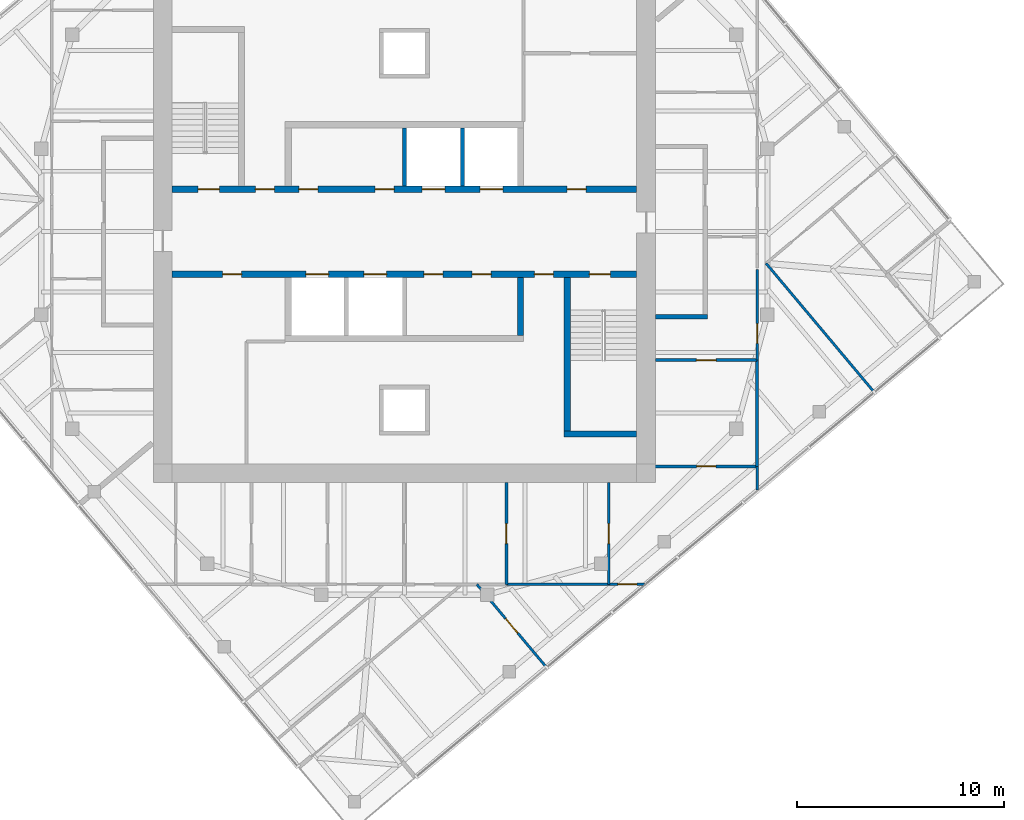
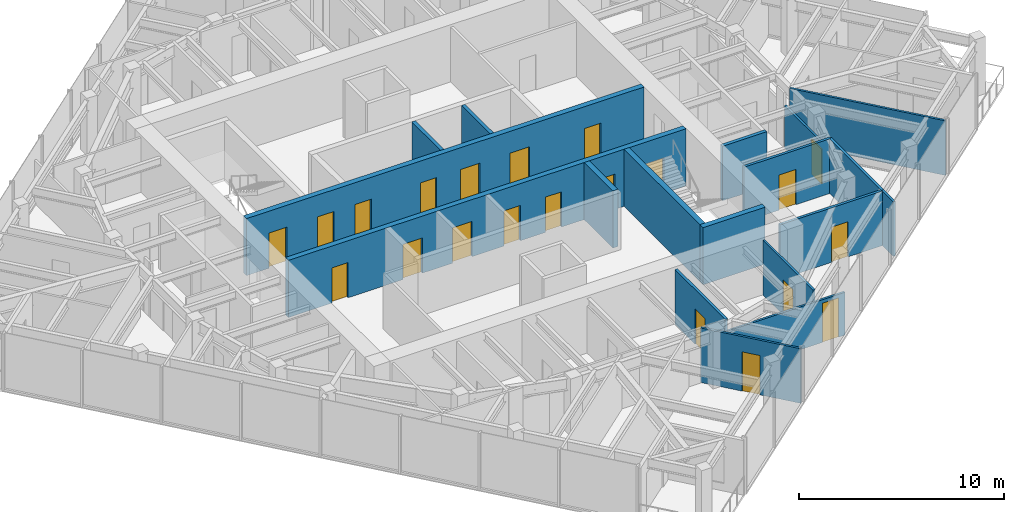
# One storey, part 8 of 11: 21 doors, 18 walls, 21 openings.
"""IFC4 building model written with IfcOpenShell, lengths in metres."""

from ifc_helpers import new_model, si_unit, direction, frame, frame_2d, origin, place, context, subcontext, project, spatial, rectangle, extrude, material, layer, layer_set, type_object, element, fill, save


model = new_model("IFC4")

# Units and contexts
model_context = context("Model", 3, precision=1e-05, world=origin(), true_north=direction((0.0, 1.0)))
body_context = subcontext(model_context, "Body", "Model", "MODEL_VIEW")
ifc_project = project(units=[si_unit("LENGTHUNIT", "METRE"), si_unit("AREAUNIT", "SQUARE_METRE"), si_unit("VOLUMEUNIT", "CUBIC_METRE"), si_unit("PLANEANGLEUNIT", "RADIAN"), si_unit("MASSUNIT", "GRAM", prefix="KILO")], contexts=[model_context])

# Site, building, storey
site_placement = place(None, origin())
site = spatial("IfcSite", under=ifc_project, at=site_placement, CompositionType="ELEMENT")
building_placement = place(site_placement, origin())
building = spatial("IfcBuilding", under=site, at=building_placement, Name="Torsade Residences", CompositionType="ELEMENT")
storey_placement = place(building_placement, frame((0.0, 0.0, 276.0)))
storey = spatial("IfcBuildingStorey", under=building, at=storey_placement, Name="L76", CompositionType="ELEMENT", Elevation=276.0)

# Wall, openings, doors
ifc_material_1 = material(Name="Concrete 80 MPa", Category="concrete")
ifc_layer_1 = layer(ifc_material_1, 0.300048828125)
ifc_layer_set_1 = layer_set([ifc_layer_1], Name="Concrete 80 MPa")
wall_type_1 = type_object("IfcWallType", Name="CORE INTERNAL WALL 300", PredefinedType="SHEAR", material=ifc_layer_set_1)
wall_1_placement = place(storey_placement, frame((28.800048828125, 32.050048828125, 0.0), z_axis=(0.0, 0.0, 1.0), x_axis=(1.0, 0.0, 0.0)))
wall_1 = element("IfcWall", 1, at=wall_1_placement, inside=storey, type_object=wall_type_1, Name="Core wall LN L76", PredefinedType="SHEAR", context=body_context, shape_type="SweptSolid", body=[
    extrude(rectangle(XDim=22.39990234375, YDim=0.300048828125, at=frame_2d((11.199951171875, 0.0))), origin(), (0.0, 0.0, 1.0), 3.39990234375),
])
opening_1_placement = place(wall_1_placement, frame((19.0400390625, 0.0, 0.0)))
opening_1 = element("IfcOpeningElement", 2, at=opening_1_placement, cuts=wall_1, Name="Opening D06", PredefinedType="OPENING", context=body_context, shape_type="SweptSolid", body=[
    extrude(rectangle(XDim=0.919921875, YDim=2.10009765625, at=frame_2d((0.4599609375, 1.050048828125))), frame((0.0, 0.159912109375, 0.0), z_axis=(0.0, -1.0, 0.0), x_axis=(1.0, 0.0, 0.0)), (0.0, 0.0, 1.0), 0.320068359375),
])
opening_2_placement = place(wall_1_placement, frame((1.264892578125, 0.0, 0.0)))
opening_2 = element("IfcOpeningElement", 3, at=opening_2_placement, cuts=wall_1, Name="Opening D03", PredefinedType="OPENING", context=body_context, shape_type="SweptSolid", body=[
    extrude(rectangle(XDim=1.02001953125, YDim=2.10009765625, at=frame_2d((0.510009765625, 1.050048828125))), frame((0.0, 0.159912109375, 0.0), z_axis=(0.0, -1.0, 0.0), x_axis=(1.0, 0.0, 0.0)), (0.0, 0.0, 1.0), 0.320068359375),
])
opening_3_placement = place(wall_1_placement, frame((4.014892578125, 0.0, 0.0)))
opening_3 = element("IfcOpeningElement", 4, at=opening_3_placement, cuts=wall_1, Name="Opening D06", PredefinedType="OPENING", context=body_context, shape_type="SweptSolid", body=[
    extrude(rectangle(XDim=0.919921875, YDim=2.10009765625, at=frame_2d((0.4599609375, 1.050048828125))), frame((0.0, 0.159912109375, 0.0), z_axis=(0.0, -1.0, 0.0), x_axis=(1.0, 0.0, 0.0)), (0.0, 0.0, 1.0), 0.320068359375),
])
opening_4_placement = place(wall_1_placement, frame((6.114990234375, 0.0, 0.0)))
opening_4 = element("IfcOpeningElement", 5, at=opening_4_placement, cuts=wall_1, Name="Opening D06", PredefinedType="OPENING", context=body_context, shape_type="SweptSolid", body=[
    extrude(rectangle(XDim=0.919921875, YDim=2.10009765625, at=frame_2d((0.4599609375, 1.050048828125))), frame((0.0, 0.159912109375, 0.0), z_axis=(0.0, -1.0, 0.0), x_axis=(1.0, 0.0, 0.0)), (0.0, 0.0, 1.0), 0.320068359375),
])
opening_5_placement = place(wall_1_placement, frame((9.7900390625, 0.0, 0.0)))
opening_5 = element("IfcOpeningElement", 6, at=opening_5_placement, cuts=wall_1, Name="Opening D06", PredefinedType="OPENING", context=body_context, shape_type="SweptSolid", body=[
    extrude(rectangle(XDim=0.919921875, YDim=2.10009765625, at=frame_2d((0.4599609375, 1.050048828125))), frame((0.0, 0.159912109375, 0.0), z_axis=(0.0, -1.0, 0.0), x_axis=(1.0, 0.0, 0.0)), (0.0, 0.0, 1.0), 0.320068359375),
])
opening_6_placement = place(wall_1_placement, frame((12.050048828125, 0.0, 0.0)))
opening_6 = element("IfcOpeningElement", 7, at=opening_6_placement, cuts=wall_1, Name="Opening LD", PredefinedType="OPENING", context=body_context, shape_type="SweptSolid", body=[
    extrude(rectangle(XDim=1.10009765625, YDim=2.10009765625, at=frame_2d((0.550048828125, 1.050048828125))), frame((0.0, 0.159912109375, 0.0), z_axis=(0.0, -1.0, 0.0), x_axis=(1.0, 0.0, 0.0)), (0.0, 0.0, 1.0), 0.320068359375),
])
opening_7_placement = place(wall_1_placement, frame((14.85009765625, 0.0, 0.0)))
opening_7 = element("IfcOpeningElement", 8, at=opening_7_placement, cuts=wall_1, Name="Opening LD", PredefinedType="OPENING", context=body_context, shape_type="SweptSolid", body=[
    extrude(rectangle(XDim=1.10009765625, YDim=2.10009765625, at=frame_2d((0.550048828125, 1.050048828125))), frame((0.0, 0.159912109375, 0.0), z_axis=(0.0, -1.0, 0.0), x_axis=(1.0, 0.0, 0.0)), (0.0, 0.0, 1.0), 0.320068359375),
])
ifc_material_2 = material(Name="Steel-framed fire door", Category="steel")
door_type_1 = type_object("IfcDoorType", Name="FIRE DOOR 1020", OperationType="NOTDEFINED", PredefinedType="DOOR", material=ifc_material_2)
door_1_placement = place(opening_2_placement, origin())
door_1 = element("IfcDoor", 9, at=door_1_placement, inside=storey, type_object=door_type_1, Name="Exit door to fire-isolated stair ST1 L76", OperationType="SINGLE_SWING_RIGHT", OverallHeight=2.10009765625, OverallWidth=1.02001953125, PredefinedType="DOOR", context=body_context, shape_type="SweptSolid", body=[
    extrude(rectangle(XDim=1.02001953125, YDim=2.10009765625, at=frame_2d((0.510009765625, 1.050048828125))), frame((0.0, 0.02490234375, 0.0), z_axis=(0.0, -1.0, 0.0), x_axis=(1.0, 0.0, 0.0)), (0.0, 0.0, 1.0), 0.050048828125),
])
fill(opening_2, door_1)
ifc_material_3 = material(Name="Steel-framed fire door", Category="steel")
door_type_2 = type_object("IfcDoorType", Name="FIRE DOOR 920", OperationType="NOTDEFINED", PredefinedType="DOOR", material=ifc_material_3)
door_2_placement = place(opening_1_placement, origin())
door_2 = element("IfcDoor", 10, at=door_2_placement, inside=storey, type_object=door_type_2, Name="Door Lift lobby to Refuse room", OperationType="SINGLE_SWING_LEFT", OverallHeight=2.10009765625, OverallWidth=0.919921875, PredefinedType="DOOR", context=body_context, shape_type="SweptSolid", body=[
    extrude(rectangle(XDim=0.919921875, YDim=2.10009765625, at=frame_2d((0.4599609375, 1.050048828125))), frame((0.0, 0.02490234375, 0.0), z_axis=(0.0, -1.0, 0.0), x_axis=(1.0, 0.0, 0.0)), (0.0, 0.0, 1.0), 0.050048828125),
])
fill(opening_1, door_2)
door_3_placement = place(opening_3_placement, origin())
door_3 = element("IfcDoor", 11, at=door_3_placement, inside=storey, type_object=door_type_2, Name="Door Lift lobby to Electrical riser room", OperationType="SINGLE_SWING_LEFT", OverallHeight=2.10009765625, OverallWidth=0.919921875, PredefinedType="DOOR", context=body_context, shape_type="SweptSolid", body=[
    extrude(rectangle(XDim=0.919921875, YDim=2.10009765625, at=frame_2d((0.4599609375, 1.050048828125))), frame((0.0, 0.02490234375, 0.0), z_axis=(0.0, -1.0, 0.0), x_axis=(1.0, 0.0, 0.0)), (0.0, 0.0, 1.0), 0.050048828125),
])
fill(opening_3, door_3)
door_4_placement = place(opening_4_placement, origin())
door_4 = element("IfcDoor", 12, at=door_4_placement, inside=storey, type_object=door_type_2, Name="Door Lift lobby to Bulky waste store L76A", OperationType="SINGLE_SWING_LEFT", OverallHeight=2.10009765625, OverallWidth=0.919921875, PredefinedType="DOOR", context=body_context, shape_type="SweptSolid", body=[
    extrude(rectangle(XDim=0.919921875, YDim=2.10009765625, at=frame_2d((0.4599609375, 1.050048828125))), frame((0.0, 0.02490234375, 0.0), z_axis=(0.0, -1.0, 0.0), x_axis=(1.0, 0.0, 0.0)), (0.0, 0.0, 1.0), 0.050048828125),
])
fill(opening_4, door_4)
door_5_placement = place(opening_5_placement, origin())
door_5 = element("IfcDoor", 13, at=door_5_placement, inside=storey, type_object=door_type_2, Name="Door Lift lobby to Bulky waste store L76A", OperationType="SINGLE_SWING_RIGHT", OverallHeight=2.10009765625, OverallWidth=0.919921875, PredefinedType="DOOR", context=body_context, shape_type="SweptSolid", body=[
    extrude(rectangle(XDim=0.919921875, YDim=2.10009765625, at=frame_2d((0.4599609375, 1.050048828125))), frame((0.0, 0.02490234375, 0.0), z_axis=(0.0, -1.0, 0.0), x_axis=(1.0, 0.0, 0.0)), (0.0, 0.0, 1.0), 0.050048828125),
])
fill(opening_5, door_5)
ifc_material_4 = material(Name="Stainless steel lift landing door", Category="steel")
door_type_3 = type_object("IfcDoorType", Name="LIFT LANDING DOOR 1100", OperationType="SLIDING_TO_LEFT", PredefinedType="DOOR", material=ifc_material_4)
door_6_placement = place(opening_6_placement, origin())
door_6 = element("IfcDoor", 14, at=door_6_placement, inside=storey, type_object=door_type_3, Name="Lift LA3 landing door L76", OperationType="SLIDING_TO_LEFT", OverallHeight=2.10009765625, OverallWidth=1.10009765625, PredefinedType="DOOR", context=body_context, shape_type="SweptSolid", body=[
    extrude(rectangle(XDim=1.10009765625, YDim=2.10009765625, at=frame_2d((0.550048828125, 1.050048828125))), frame((0.0, 0.02490234375, 0.0), z_axis=(0.0, -1.0, 0.0), x_axis=(1.0, 0.0, 0.0)), (0.0, 0.0, 1.0), 0.050048828125),
])
fill(opening_6, door_6)
door_7_placement = place(opening_7_placement, origin())
door_7 = element("IfcDoor", 15, at=door_7_placement, inside=storey, type_object=door_type_3, Name="Lift FL1 landing door L76", OperationType="SLIDING_TO_LEFT", OverallHeight=2.10009765625, OverallWidth=1.10009765625, PredefinedType="DOOR", context=body_context, shape_type="SweptSolid", body=[
    extrude(rectangle(XDim=1.10009765625, YDim=2.10009765625, at=frame_2d((0.550048828125, 1.050048828125))), frame((0.0, 0.02490234375, 0.0), z_axis=(0.0, -1.0, 0.0), x_axis=(1.0, 0.0, 0.0)), (0.0, 0.0, 1.0), 0.050048828125),
])
fill(opening_7, door_7)

wall_2_placement = place(storey_placement, frame((51.199951171875, 27.949951171875, 0.0), z_axis=(0.0, 0.0, 1.0), x_axis=(-1.0, 0.0, 0.0)))
wall_2 = element("IfcWall", 16, at=wall_2_placement, inside=storey, type_object=wall_type_1, Name="Core wall LS L76", PredefinedType="SHEAR", context=body_context, shape_type="SweptSolid", body=[
    extrude(rectangle(XDim=22.39990234375, YDim=0.300048828125, at=frame_2d((11.199951171875, 0.0))), origin(), (0.0, 0.0, 1.0), 3.39990234375),
])
opening_8_placement = place(wall_2_placement, frame((19.0400390625, 0.0, 0.0)))
opening_8 = element("IfcOpeningElement", 17, at=opening_8_placement, cuts=wall_2, Name="Opening D06", PredefinedType="OPENING", context=body_context, shape_type="SweptSolid", body=[
    extrude(rectangle(XDim=0.919921875, YDim=2.10009765625, at=frame_2d((0.4599609375, 1.050048828125))), frame((0.0, 0.159912109375, 0.0), z_axis=(0.0, -1.0, 0.0), x_axis=(1.0, 0.0, 0.0)), (0.0, 0.0, 1.0), 0.320068359375),
])
opening_9_placement = place(wall_2_placement, frame((1.264892578125, 0.0, 0.0)))
opening_9 = element("IfcOpeningElement", 18, at=opening_9_placement, cuts=wall_2, Name="Opening D03", PredefinedType="OPENING", context=body_context, shape_type="SweptSolid", body=[
    extrude(rectangle(XDim=1.02001953125, YDim=2.10009765625, at=frame_2d((0.510009765625, 1.050048828125))), frame((0.0, 0.159912109375, 0.0), z_axis=(0.0, -1.0, 0.0), x_axis=(1.0, 0.0, 0.0)), (0.0, 0.0, 1.0), 0.320068359375),
])
opening_10_placement = place(wall_2_placement, frame((4.014892578125, 0.0, 0.0)))
opening_10 = element("IfcOpeningElement", 19, at=opening_10_placement, cuts=wall_2, Name="Opening D06", PredefinedType="OPENING", context=body_context, shape_type="SweptSolid", body=[
    extrude(rectangle(XDim=0.919921875, YDim=2.10009765625, at=frame_2d((0.4599609375, 1.050048828125))), frame((0.0, 0.159912109375, 0.0), z_axis=(0.0, -1.0, 0.0), x_axis=(1.0, 0.0, 0.0)), (0.0, 0.0, 1.0), 0.320068359375),
])
opening_11_placement = place(wall_2_placement, frame((9.340087890625, 0.0, 0.0)))
opening_11 = element("IfcOpeningElement", 20, at=opening_11_placement, cuts=wall_2, Name="Opening D06", PredefinedType="OPENING", context=body_context, shape_type="SweptSolid", body=[
    extrude(rectangle(XDim=0.919921875, YDim=2.10009765625, at=frame_2d((0.4599609375, 1.050048828125))), frame((0.0, 0.159912109375, 0.0), z_axis=(0.0, -1.0, 0.0), x_axis=(1.0, 0.0, 0.0)), (0.0, 0.0, 1.0), 0.320068359375),
])
opening_12_placement = place(wall_2_placement, frame((7.014892578125, 0.0, 0.0)))
opening_12 = element("IfcOpeningElement", 21, at=opening_12_placement, cuts=wall_2, Name="Opening D06", PredefinedType="OPENING", context=body_context, shape_type="SweptSolid", body=[
    extrude(rectangle(XDim=0.919921875, YDim=2.10009765625, at=frame_2d((0.4599609375, 1.050048828125))), frame((0.0, 0.159912109375, 0.0), z_axis=(0.0, -1.0, 0.0), x_axis=(1.0, 0.0, 0.0)), (0.0, 0.0, 1.0), 0.320068359375),
])
opening_13_placement = place(wall_2_placement, frame((12.050048828125, 0.0, 0.0)))
opening_13 = element("IfcOpeningElement", 22, at=opening_13_placement, cuts=wall_2, Name="Opening LD", PredefinedType="OPENING", context=body_context, shape_type="SweptSolid", body=[
    extrude(rectangle(XDim=1.10009765625, YDim=2.10009765625, at=frame_2d((0.550048828125, 1.050048828125))), frame((0.0, 0.159912109375, 0.0), z_axis=(0.0, -1.0, 0.0), x_axis=(1.0, 0.0, 0.0)), (0.0, 0.0, 1.0), 0.320068359375),
])
opening_14_placement = place(wall_2_placement, frame((14.85009765625, 0.0, 0.0)))
opening_14 = element("IfcOpeningElement", 23, at=opening_14_placement, cuts=wall_2, Name="Opening LD", PredefinedType="OPENING", context=body_context, shape_type="SweptSolid", body=[
    extrude(rectangle(XDim=1.10009765625, YDim=2.10009765625, at=frame_2d((0.550048828125, 1.050048828125))), frame((0.0, 0.159912109375, 0.0), z_axis=(0.0, -1.0, 0.0), x_axis=(1.0, 0.0, 0.0)), (0.0, 0.0, 1.0), 0.320068359375),
])
door_8_placement = place(opening_9_placement, origin())
door_8 = element("IfcDoor", 24, at=door_8_placement, inside=storey, type_object=door_type_1, Name="Exit door to fire-isolated stair ST2 L76", OperationType="SINGLE_SWING_RIGHT", OverallHeight=2.10009765625, OverallWidth=1.02001953125, PredefinedType="DOOR", context=body_context, shape_type="SweptSolid", body=[
    extrude(rectangle(XDim=1.02001953125, YDim=2.10009765625, at=frame_2d((0.510009765625, 1.050048828125))), frame((0.0, 0.02490234375, 0.0), z_axis=(0.0, -1.0, 0.0), x_axis=(1.0, 0.0, 0.0)), (0.0, 0.0, 1.0), 0.050048828125),
])
fill(opening_9, door_8)
door_9_placement = place(opening_8_placement, origin())
door_9 = element("IfcDoor", 25, at=door_9_placement, inside=storey, type_object=door_type_2, Name="Door Lift lobby to Cleaner store", OperationType="SINGLE_SWING_LEFT", OverallHeight=2.10009765625, OverallWidth=0.919921875, PredefinedType="DOOR", context=body_context, shape_type="SweptSolid", body=[
    extrude(rectangle(XDim=0.919921875, YDim=2.10009765625, at=frame_2d((0.4599609375, 1.050048828125))), frame((0.0, 0.02490234375, 0.0), z_axis=(0.0, -1.0, 0.0), x_axis=(1.0, 0.0, 0.0)), (0.0, 0.0, 1.0), 0.050048828125),
])
fill(opening_8, door_9)
door_10_placement = place(opening_10_placement, origin())
door_10 = element("IfcDoor", 26, at=door_10_placement, inside=storey, type_object=door_type_2, Name="Door Lift lobby to Communications riser room", OperationType="SINGLE_SWING_RIGHT", OverallHeight=2.10009765625, OverallWidth=0.919921875, PredefinedType="DOOR", context=body_context, shape_type="SweptSolid", body=[
    extrude(rectangle(XDim=0.919921875, YDim=2.10009765625, at=frame_2d((0.4599609375, 1.050048828125))), frame((0.0, 0.02490234375, 0.0), z_axis=(0.0, -1.0, 0.0), x_axis=(1.0, 0.0, 0.0)), (0.0, 0.0, 1.0), 0.050048828125),
])
fill(opening_10, door_10)
door_11_placement = place(opening_11_placement, origin())
door_11 = element("IfcDoor", 27, at=door_11_placement, inside=storey, type_object=door_type_2, Name="Door Lift lobby to Communications room L76B", OperationType="SINGLE_SWING_LEFT", OverallHeight=2.10009765625, OverallWidth=0.919921875, PredefinedType="DOOR", context=body_context, shape_type="SweptSolid", body=[
    extrude(rectangle(XDim=0.919921875, YDim=2.10009765625, at=frame_2d((0.4599609375, 1.050048828125))), frame((0.0, 0.02490234375, 0.0), z_axis=(0.0, -1.0, 0.0), x_axis=(1.0, 0.0, 0.0)), (0.0, 0.0, 1.0), 0.050048828125),
])
fill(opening_11, door_11)
door_12_placement = place(opening_12_placement, origin())
door_12 = element("IfcDoor", 28, at=door_12_placement, inside=storey, type_object=door_type_2, Name="Door Lift lobby to Communications room L76B", OperationType="SINGLE_SWING_RIGHT", OverallHeight=2.10009765625, OverallWidth=0.919921875, PredefinedType="DOOR", context=body_context, shape_type="SweptSolid", body=[
    extrude(rectangle(XDim=0.919921875, YDim=2.10009765625, at=frame_2d((0.4599609375, 1.050048828125))), frame((0.0, 0.02490234375, 0.0), z_axis=(0.0, -1.0, 0.0), x_axis=(1.0, 0.0, 0.0)), (0.0, 0.0, 1.0), 0.050048828125),
])
fill(opening_12, door_12)
door_13_placement = place(opening_13_placement, origin())
door_13 = element("IfcDoor", 29, at=door_13_placement, inside=storey, type_object=door_type_3, Name="Lift LB3 landing door L76", OperationType="SLIDING_TO_LEFT", OverallHeight=2.10009765625, OverallWidth=1.10009765625, PredefinedType="DOOR", context=body_context, shape_type="SweptSolid", body=[
    extrude(rectangle(XDim=1.10009765625, YDim=2.10009765625, at=frame_2d((0.550048828125, 1.050048828125))), frame((0.0, 0.02490234375, 0.0), z_axis=(0.0, -1.0, 0.0), x_axis=(1.0, 0.0, 0.0)), (0.0, 0.0, 1.0), 0.050048828125),
])
fill(opening_13, door_13)
door_14_placement = place(opening_14_placement, origin())
door_14 = element("IfcDoor", 30, at=door_14_placement, inside=storey, type_object=door_type_3, Name="Lift FL2 landing door L76", OperationType="SLIDING_TO_LEFT", OverallHeight=2.10009765625, OverallWidth=1.10009765625, PredefinedType="DOOR", context=body_context, shape_type="SweptSolid", body=[
    extrude(rectangle(XDim=1.10009765625, YDim=2.10009765625, at=frame_2d((0.550048828125, 1.050048828125))), frame((0.0, 0.02490234375, 0.0), z_axis=(0.0, -1.0, 0.0), x_axis=(1.0, 0.0, 0.0)), (0.0, 0.0, 1.0), 0.050048828125),
])
fill(opening_14, door_14)

# Walls
wall_3_placement = place(storey_placement, frame((45.60009765625, 27.800048828125, 0.0), z_axis=(0.0, 0.0, 1.0), x_axis=(0.0, -1.0, 0.0)))
element("IfcWall", 31, at=wall_3_placement, inside=storey, type_object=wall_type_1, Name="Core wall DS0 L76", PredefinedType="SHEAR", context=body_context, shape_type="SweptSolid", body=[
    extrude(rectangle(XDim=2.800048828125, YDim=0.300048828125, at=frame_2d((1.39990234375, 0.0))), origin(), (0.0, 0.0, 1.0), 3.39990234375),
])
wall_4_placement = place(storey_placement, frame((47.85009765625, 27.800048828125, 0.0), z_axis=(0.0, 0.0, 1.0), x_axis=(0.0, -1.0, 0.0)))
element("IfcWall", 32, at=wall_4_placement, inside=storey, type_object=wall_type_1, Name="Core wall ST2W L76", PredefinedType="SHEAR", context=body_context, shape_type="SweptSolid", body=[
    extrude(rectangle(XDim=7.699951171875, YDim=0.300048828125, at=frame_2d((3.85009765625, 0.0))), origin(), (0.0, 0.0, 1.0), 3.39990234375),
])
wall_5_placement = place(storey_placement, frame((51.199951171875, 20.25, 0.0), z_axis=(0.0, 0.0, 1.0), x_axis=(-1.0, 0.0, 0.0)))
element("IfcWall", 33, at=wall_5_placement, inside=storey, type_object=wall_type_1, Name="Core wall ST2S L76", PredefinedType="SHEAR", context=body_context, shape_type="SweptSolid", body=[
    extrude(rectangle(XDim=3.5, YDim=0.300048828125, at=frame_2d((1.75, 0.0))), origin(), (0.0, 0.0, 1.0), 3.39990234375),
])
ifc_material_5 = material(Name="Plasterboard on steel stud", Category="steel")
ifc_layer_2 = layer(ifc_material_5, 0.199951171875)
ifc_layer_set_2 = layer_set([ifc_layer_2], Name="Plasterboard on steel stud")
wall_type_2 = type_object("IfcWallType", Name="CORRIDOR WALL 200", PredefinedType="PARTITIONING", material=ifc_layer_set_2)
wall_6_placement = place(storey_placement, frame((52.10009765625, 25.89990234375, 0.0), z_axis=(0.0, 0.0, 1.0), x_axis=(1.0, 0.0, 0.0)))
element("IfcWall", 34, at=wall_6_placement, inside=storey, type_object=wall_type_2, Name="Corridor wall L76", PredefinedType="PARTITIONING", context=body_context, shape_type="SweptSolid", body=[
    extrude(rectangle(XDim=2.5, YDim=0.199951171875, at=frame_2d((1.25, 0.0))), origin(), (0.0, 0.0, 1.0), 3.25),
])
ifc_material_6 = material(Name="Reinforced blockwork", Category="masonry")
ifc_layer_3 = layer(ifc_material_6, 0.199951171875)
ifc_layer_set_3 = layer_set([ifc_layer_3], Name="Reinforced blockwork")
wall_type_3 = type_object("IfcWallType", Name="LIFT SHAFT DIVIDING WALL 200", PredefinedType="SOLIDWALL", material=ifc_layer_set_3)
for number, where, z_axis, x_axis, name in (
    (35, (40.0, 32.199951171875, 0.0), (0.0, 0.0, 1.0), (0.0, 1.0, 0.0), "Core wall DN2 L76"),
    (36, (42.800048828125, 32.199951171875, 0.0), (0.0, 0.0, 1.0), (0.0, 1.0, 0.0), "Core wall DN3 L76"),
):
    element("IfcWall", number, at=place(storey_placement, frame(where, z_axis=z_axis, x_axis=x_axis)), inside=storey, type_object=wall_type_3, Name=name, PredefinedType="SOLIDWALL", context=body_context, shape_type="SweptSolid", body=[
        extrude(rectangle(XDim=2.800048828125, YDim=0.199951171875, at=frame_2d((1.39990234375, 0.0))), origin(), (0.0, 0.0, 1.0), 3.39990234375),
    ])

# Wall, opening, door
ifc_material_7 = material(Name="Plasterboard on steel stud", Category="steel")
ifc_layer_4 = layer(ifc_material_7, 0.1201171875)
ifc_layer_set_4 = layer_set([ifc_layer_4], Name="Plasterboard on steel stud")
wall_type_4 = type_object("IfcWallType", Name="PARTITION 120", PredefinedType="PARTITIONING", material=ifc_layer_set_4)
wall_7_placement = place(storey_placement, frame((57.0, 28.175537109375, 0.0), z_axis=(0.0, 0.0, 1.0), x_axis=(0.0, -1.0, 0.0)))
wall_7 = element("IfcWall", 37, at=wall_7_placement, inside=storey, type_object=wall_type_4, Name="Partition L76", PredefinedType="PARTITIONING", context=body_context, shape_type="SweptSolid", body=[
    extrude(rectangle(XDim=4.365478515625, YDim=0.1201171875, at=frame_2d((2.1826171875, 0.0))), origin(), (0.0, 0.0, 1.0), 2.549072265625),
])
opening_15_placement = place(wall_7_placement, frame((2.602783203125, 0.0, 0.0)))
opening_15 = element("IfcOpeningElement", 38, at=opening_15_placement, cuts=wall_7, Name="Opening D05", PredefinedType="OPENING", context=body_context, shape_type="SweptSolid", body=[
    extrude(rectangle(XDim=0.9599609375, YDim=2.10009765625, at=frame_2d((0.47998046875, 1.050048828125))), frame((0.0, 0.070068359375, 0.0), z_axis=(0.0, -1.0, 0.0), x_axis=(1.0, 0.0, 0.0)), (0.0, 0.0, 1.0), 0.14013671875),
])
ifc_material_8 = material(Name="Hollow-core timber door in a steel cavity frame", Category="steel")
door_type_4 = type_object("IfcDoorType", Name="BATHROOM CAVITY SLIDING DOOR 960", OperationType="SLIDING_TO_LEFT", PredefinedType="DOOR", material=ifc_material_8)
door_15_placement = place(opening_15_placement, origin())
door_15 = element("IfcDoor", 39, at=door_15_placement, inside=storey, type_object=door_type_4, Name="Door Bathroom to Bedroom 3", OperationType="SLIDING_TO_LEFT", OverallHeight=2.10009765625, OverallWidth=0.9599609375, PredefinedType="DOOR", context=body_context, shape_type="SweptSolid", body=[
    extrude(rectangle(XDim=0.9599609375, YDim=2.10009765625, at=frame_2d((0.47998046875, 1.050048828125))), frame((0.0, 0.02490234375, 0.0), z_axis=(0.0, -1.0, 0.0), x_axis=(1.0, 0.0, 0.0)), (0.0, 0.0, 1.0), 0.050048828125),
])
fill(opening_15, door_15)

wall_8_placement = place(storey_placement, frame((49.859619140625, 17.89990234375, 0.0), z_axis=(0.0, 0.0, 1.0), x_axis=(0.0, -1.0, 0.0)))
wall_8 = element("IfcWall", 40, at=wall_8_placement, inside=storey, type_object=wall_type_4, Name="Partition L76", PredefinedType="PARTITIONING", context=body_context, shape_type="SweptSolid", body=[
    extrude(rectangle(XDim=4.89990234375, YDim=0.1201171875, at=frame_2d((2.449951171875, 0.0))), origin(), (0.0, 0.0, 1.0), 3.25),
])
opening_16_placement = place(wall_8_placement, frame((1.969970703125, 0.0, 0.0)))
opening_16 = element("IfcOpeningElement", 41, at=opening_16_placement, cuts=wall_8, Name="Opening D05", PredefinedType="OPENING", context=body_context, shape_type="SweptSolid", body=[
    extrude(rectangle(XDim=0.9599609375, YDim=2.10009765625, at=frame_2d((0.47998046875, 1.050048828125))), frame((0.0, 0.070068359375, 0.0), z_axis=(0.0, -1.0, 0.0), x_axis=(1.0, 0.0, 0.0)), (0.0, 0.0, 1.0), 0.14013671875),
])
door_16_placement = place(opening_16_placement, origin())
door_16 = element("IfcDoor", 42, at=door_16_placement, inside=storey, type_object=door_type_4, Name="Door Study to Laundry", OperationType="SLIDING_TO_LEFT", OverallHeight=2.10009765625, OverallWidth=0.9599609375, PredefinedType="DOOR", context=body_context, shape_type="SweptSolid", body=[
    extrude(rectangle(XDim=0.9599609375, YDim=2.10009765625, at=frame_2d((0.47998046875, 1.050048828125))), frame((0.0, 0.02490234375, 0.0), z_axis=(0.0, -1.0, 0.0), x_axis=(1.0, 0.0, 0.0)), (0.0, 0.0, 1.0), 0.050048828125),
])
fill(opening_16, door_16)

wall_9_placement = place(storey_placement, frame((51.5703125, 13.0, 0.0), z_axis=(0.0, 0.0, 1.0), x_axis=(-1.0, 0.0, 0.0)))
wall_9 = element("IfcWall", 43, at=wall_9_placement, inside=storey, type_object=wall_type_4, Name="Partition L76", PredefinedType="PARTITIONING", context=body_context, shape_type="SweptSolid", body=[
    extrude(rectangle(XDim=6.65234375, YDim=0.1201171875, at=frame_2d((3.326171875, 0.0))), origin(), (0.0, 0.0, 1.0), 2.549072265625),
])
opening_17_placement = place(wall_9_placement, frame((0.3642578125, 0.0, 0.0)))
opening_17 = element("IfcOpeningElement", 44, at=opening_17_placement, cuts=wall_9, Name="Opening D02", PredefinedType="OPENING", context=body_context, shape_type="SweptSolid", body=[
    extrude(rectangle(XDim=0.919921875, YDim=2.340087890625, at=frame_2d((0.4599609375, 1.169921875))), frame((0.0, 0.070068359375, 0.0), z_axis=(0.0, -1.0, 0.0), x_axis=(1.0, 0.0, 0.0)), (0.0, 0.0, 1.0), 0.14013671875),
])
ifc_material_9 = material(Name="Hollow-core timber door", Category="wood")
door_type_5 = type_object("IfcDoorType", Name="INTERNAL DOOR 920x2340", OperationType="NOTDEFINED", PredefinedType="DOOR", material=ifc_material_9)
door_17_placement = place(opening_17_placement, origin())
door_17 = element("IfcDoor", 45, at=door_17_placement, inside=storey, type_object=door_type_5, Name="Door Study to Family room", OperationType="SINGLE_SWING_RIGHT", OverallHeight=2.340087890625, OverallWidth=0.919921875, PredefinedType="DOOR", context=body_context, shape_type="SweptSolid", body=[
    extrude(rectangle(XDim=0.919921875, YDim=2.340087890625, at=frame_2d((0.4599609375, 1.169921875))), frame((0.0, 0.02490234375, 0.0), z_axis=(0.0, -1.0, 0.0), x_axis=(1.0, 0.0, 0.0)), (0.0, 0.0, 1.0), 0.050048828125),
])
fill(opening_17, door_17)

# Wall
wall_10_placement = place(storey_placement, frame((57.0, 18.689453125, 0.0), z_axis=(0.0, 0.0, 1.0), x_axis=(0.0, -1.0, 0.0)))
element("IfcWall", 46, at=wall_10_placement, inside=storey, type_object=wall_type_4, Name="Partition L76", PredefinedType="PARTITIONING", context=body_context, shape_type="SweptSolid", body=[
    extrude(rectangle(XDim=1.13330078125, YDim=0.1201171875, at=frame_2d((0.566650390625, 0.0))), origin(), (0.0, 0.0, 1.0), 3.25),
])

# Wall, opening, door
wall_11_placement = place(storey_placement, frame((43.4951171875, 13.0, 0.0), z_axis=(0.0, 0.0, 1.0), x_axis=(0.642776136034, -0.76605407051, 0.0)))
wall_11 = element("IfcWall", 47, at=wall_11_placement, inside=storey, type_object=wall_type_4, Name="Partition L76", PredefinedType="PARTITIONING", context=body_context, shape_type="SweptSolid", body=[
    extrude(rectangle(XDim=5.190673828125, YDim=0.1201171875, at=frame_2d((2.59521484375, 0.0))), origin(), (0.0, 0.0, 1.0), 3.25),
])
opening_18_placement = place(wall_11_placement, frame((2.1552734375, 0.0, 0.0)))
opening_18 = element("IfcOpeningElement", 48, at=opening_18_placement, cuts=wall_11, Name="Opening D02", PredefinedType="OPENING", context=body_context, shape_type="SweptSolid", body=[
    extrude(rectangle(XDim=0.919921875, YDim=2.340087890625, at=frame_2d((0.4599609375, 1.169921875))), frame((0.0, 0.070068359375, 0.0), z_axis=(0.0, -1.0, 0.0), x_axis=(1.0, 0.0, 0.0)), (0.0, 0.0, 1.0), 0.14013671875),
])
door_18_placement = place(opening_18_placement, origin())
door_18 = element("IfcDoor", 49, at=door_18_placement, inside=storey, type_object=door_type_5, Name="Door Family room to Living room", OperationType="SINGLE_SWING_LEFT", OverallHeight=2.340087890625, OverallWidth=0.919921875, PredefinedType="DOOR", context=body_context, shape_type="SweptSolid", body=[
    extrude(rectangle(XDim=0.919921875, YDim=2.340087890625, at=frame_2d((0.4599609375, 1.169921875))), frame((0.0, 0.02490234375, 0.0), z_axis=(0.0, -1.0, 0.0), x_axis=(1.0, 0.0, 0.0)), (0.0, 0.0, 1.0), 0.050048828125),
])
fill(opening_18, door_18)

# Wall
wall_12_placement = place(storey_placement, frame((62.63134765625, 22.28125, 0.0), z_axis=(0.0, 0.0, 1.0), x_axis=(-0.642800378028, 0.766033729027, 0.0)))
element("IfcWall", 50, at=wall_12_placement, inside=storey, type_object=wall_type_4, Name="Partition L76", PredefinedType="PARTITIONING", context=body_context, shape_type="SweptSolid", body=[
    extrude(rectangle(XDim=8.0849609375, YDim=0.1201171875, at=frame_2d((4.04248046875, 0.0))), origin(), (0.0, 0.0, 1.0), 3.25),
])

# Wall, opening, door
ifc_material_10 = material(Name="Reinforced blockwork", Category="masonry")
ifc_layer_5 = layer(ifc_material_10, 0.14990234375)
ifc_layer_set_5 = layer_set([ifc_layer_5], Name="Reinforced blockwork")
wall_type_5 = type_object("IfcWallType", Name="SERVICE ROOM WALL 150", PredefinedType="SOLIDWALL", material=ifc_layer_set_5)
wall_13_placement = place(storey_placement, frame((57.0, 23.81005859375, 0.0), z_axis=(0.0, 0.0, 1.0), x_axis=(-1.0, 0.0, 0.0)))
wall_13 = element("IfcWall", 51, at=wall_13_placement, inside=storey, type_object=wall_type_5, Name="Service room wall L76", PredefinedType="SOLIDWALL", context=body_context, shape_type="SweptSolid", body=[
    extrude(rectangle(XDim=4.89990234375, YDim=0.14990234375, at=frame_2d((2.449951171875, 0.0))), origin(), (0.0, 0.0, 1.0), 3.25),
])
opening_19_placement = place(wall_13_placement, frame((1.969970703125, 0.0, 0.0)))
opening_19 = element("IfcOpeningElement", 52, at=opening_19_placement, cuts=wall_13, Name="Opening D05", PredefinedType="OPENING", context=body_context, shape_type="SweptSolid", body=[
    extrude(rectangle(XDim=0.9599609375, YDim=2.10009765625, at=frame_2d((0.47998046875, 1.050048828125))), frame((0.0, 0.0849609375, 0.0), z_axis=(0.0, -1.0, 0.0), x_axis=(1.0, 0.0, 0.0)), (0.0, 0.0, 1.0), 0.169921875),
])
door_19_placement = place(opening_19_placement, origin())
door_19 = element("IfcDoor", 53, at=door_19_placement, inside=storey, type_object=door_type_4, Name="Door Bathroom to Linen store 3", OperationType="SLIDING_TO_LEFT", OverallHeight=2.10009765625, OverallWidth=0.9599609375, PredefinedType="DOOR", context=body_context, shape_type="SweptSolid", body=[
    extrude(rectangle(XDim=0.9599609375, YDim=2.10009765625, at=frame_2d((0.47998046875, 1.050048828125))), frame((0.0, 0.02490234375, 0.0), z_axis=(0.0, -1.0, 0.0), x_axis=(1.0, 0.0, 0.0)), (0.0, 0.0, 1.0), 0.050048828125),
])
fill(opening_19, door_19)

wall_14_placement = place(storey_placement, frame((44.91796875, 13.0, 0.0), z_axis=(0.0, 0.0, 1.0), x_axis=(0.0, 1.0, 0.0)))
wall_14 = element("IfcWall", 54, at=wall_14_placement, inside=storey, type_object=wall_type_5, Name="Service room wall L76", PredefinedType="SOLIDWALL", context=body_context, shape_type="SweptSolid", body=[
    extrude(rectangle(XDim=4.89990234375, YDim=0.14990234375, at=frame_2d((2.449951171875, 0.0))), origin(), (0.0, 0.0, 1.0), 3.25),
])
opening_20_placement = place(wall_14_placement, frame((1.969970703125, 0.0, 0.0)))
opening_20 = element("IfcOpeningElement", 55, at=opening_20_placement, cuts=wall_14, Name="Opening D05", PredefinedType="OPENING", context=body_context, shape_type="SweptSolid", body=[
    extrude(rectangle(XDim=0.9599609375, YDim=2.10009765625, at=frame_2d((0.47998046875, 1.050048828125))), frame((0.0, 0.0849609375, 0.0), z_axis=(0.0, -1.0, 0.0), x_axis=(1.0, 0.0, 0.0)), (0.0, 0.0, 1.0), 0.169921875),
])
door_20_placement = place(opening_20_placement, origin())
door_20 = element("IfcDoor", 56, at=door_20_placement, inside=storey, type_object=door_type_4, Name="Door Laundry to Linen store 2", OperationType="SLIDING_TO_LEFT", OverallHeight=2.10009765625, OverallWidth=0.9599609375, PredefinedType="DOOR", context=body_context, shape_type="SweptSolid", body=[
    extrude(rectangle(XDim=0.9599609375, YDim=2.10009765625, at=frame_2d((0.47998046875, 1.050048828125))), frame((0.0, 0.02490234375, 0.0), z_axis=(0.0, -1.0, 0.0), x_axis=(1.0, 0.0, 0.0)), (0.0, 0.0, 1.0), 0.050048828125),
])
fill(opening_20, door_20)

wall_15_placement = place(storey_placement, frame((51.179931640625, 18.689453125, 0.0), z_axis=(0.0, 0.0, 1.0), x_axis=(1.0, 0.0, 0.0)))
wall_15 = element("IfcWall", 57, at=wall_15_placement, inside=storey, type_object=wall_type_5, Name="Service room wall L76", PredefinedType="SOLIDWALL", context=body_context, shape_type="SweptSolid", body=[
    extrude(rectangle(XDim=5.820068359375, YDim=0.14990234375, at=frame_2d((2.91015625, 0.0))), origin(), (0.0, 0.0, 1.0), 3.25),
])
opening_21_placement = place(wall_15_placement, frame((2.909912109375, 0.0, 0.0)))
opening_21 = element("IfcOpeningElement", 58, at=opening_21_placement, cuts=wall_15, Name="Opening D02L", PredefinedType="OPENING", context=body_context, shape_type="SweptSolid", body=[
    extrude(rectangle(XDim=0.919921875, YDim=2.10009765625, at=frame_2d((0.4599609375, 1.050048828125))), frame((0.0, 0.0849609375, 0.0), z_axis=(0.0, -1.0, 0.0), x_axis=(1.0, 0.0, 0.0)), (0.0, 0.0, 1.0), 0.169921875),
])
ifc_material_11 = material(Name="Hollow-core timber door", Category="wood")
door_type_6 = type_object("IfcDoorType", Name="INTERNAL DOOR 920x2100", OperationType="NOTDEFINED", PredefinedType="DOOR", material=ifc_material_11)
door_21_placement = place(opening_21_placement, origin())
door_21 = element("IfcDoor", 59, at=door_21_placement, inside=storey, type_object=door_type_6, Name="Door Linen store 3 to Study", OperationType="SINGLE_SWING_RIGHT", OverallHeight=2.10009765625, OverallWidth=0.919921875, PredefinedType="DOOR", context=body_context, shape_type="SweptSolid", body=[
    extrude(rectangle(XDim=0.919921875, YDim=2.10009765625, at=frame_2d((0.4599609375, 1.050048828125))), frame((0.0, 0.02490234375, 0.0), z_axis=(0.0, -1.0, 0.0), x_axis=(1.0, 0.0, 0.0)), (0.0, 0.0, 1.0), 0.050048828125),
])
fill(opening_21, door_21)

# Wall
wall_16_placement = place(storey_placement, frame((57.0, 23.81005859375, 0.0), z_axis=(0.0, 0.0, 1.0), x_axis=(0.0, -1.0, 0.0)))
element("IfcWall", 60, at=wall_16_placement, inside=storey, type_object=wall_type_5, Name="Service room wall L76", PredefinedType="SOLIDWALL", context=body_context, shape_type="SweptSolid", body=[
    extrude(rectangle(XDim=5.12060546875, YDim=0.14990234375, at=frame_2d((2.560302734375, 0.0))), origin(), (0.0, 0.0, 1.0), 3.25),
])

save(model, "model.ifc")
